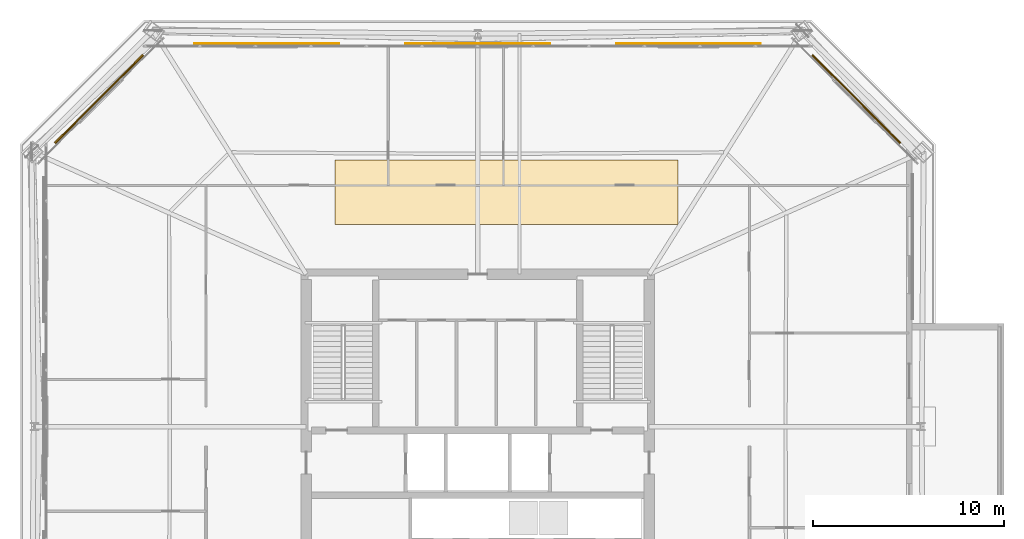
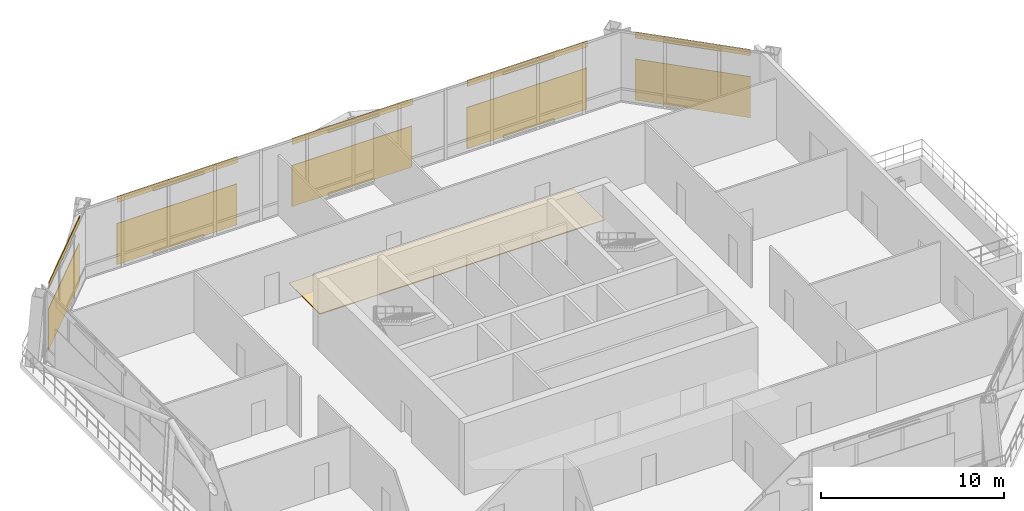
# One storey, part 33 of 34: 6 coverings, 5 shading devices.
"""IFC4 building model written with IfcOpenShell, lengths in metres."""

from ifc_helpers import new_model, si_unit, direction, frame, origin, origin_2d, place, context, subcontext, project, spatial, polyline, rectangle, outline, extrude, material, layer, layer_set, type_object, element, save


model = new_model("IFC4")

# Units and contexts
model_context = context("Model", 3, precision=1e-05, world=origin(), true_north=direction((0.0, 1.0)))
body_context = subcontext(model_context, "Body", "Model", "MODEL_VIEW")
ifc_project = project(units=[si_unit("LENGTHUNIT", "METRE"), si_unit("AREAUNIT", "SQUARE_METRE"), si_unit("VOLUMEUNIT", "CUBIC_METRE"), si_unit("PLANEANGLEUNIT", "RADIAN"), si_unit("MASSUNIT", "GRAM", prefix="KILO")], contexts=[model_context])

# Site, building, storey
site_placement = place(None, origin())
site = spatial("IfcSite", under=ifc_project, at=site_placement, CompositionType="ELEMENT")
building_placement = place(site_placement, origin())
building = spatial("IfcBuilding", under=site, at=building_placement, Name="Caelvoria Tower", CompositionType="ELEMENT")
storey_placement = place(building_placement, frame((0.0, 0.0, 172.0)))
storey = spatial("IfcBuildingStorey", under=building, at=storey_placement, Name="L45", CompositionType="ELEMENT", Elevation=172.0)

# Coverings
ifc_material_1 = material(Name="Perforated Architectural Bronze Cladding Screen", Category="bronze")
ifc_layer_1 = layer(ifc_material_1, 0.0400390625, Name="Perforated Architectural Bronze Cladding Screen")
ifc_layer_set_1 = layer_set([ifc_layer_1], Name="Perforated Bronze Louvre Cladding Band 40 - Perforated Architectural Bronze Cladding Screen")
covering_type_1 = type_object("IfcCoveringType", Name="Perforated Bronze Louvre Cladding Band 40", PredefinedType="CLADDING", material=ifc_layer_set_1)
covering_1_placement = place(storey_placement, frame((65.856201171875, 49.17626953125, 4.340087890625), z_axis=(0.0, 0.0, 1.0), x_axis=(-0.707106781187, 0.707106781187, 0.0)))
element("IfcCovering", 1, at=covering_1_placement, inside=storey, type_object=covering_type_1, Name="Perforated Bronze Screen Band L45-E3-00", PredefinedType="CLADDING", context=body_context, shape_type="SweptSolid", body=[
    extrude(rectangle(XDim=6.5302734375, YDim=0.0400390625, at=origin_2d()), origin(), (0.0, 0.0, 1.0), 0.39990234375),
])
for number, where, z_axis, x_axis, name in (
    (2, (57.066650390625, 52.06201171875, 4.340087890625), (0.0, 0.0, 1.0), (-1.0, 0.0, 0.0), "Perforated Bronze Screen Band L45-E4-00"),
    (3, (46.0, 52.06201171875, 4.340087890625), (0.0, 0.0, 1.0), (-1.0, 0.0, 0.0), "Perforated Bronze Screen Band L45-E4-01"),
    (4, (34.933349609375, 52.06201171875, 4.340087890625), (0.0, 0.0, 1.0), (-1.0, 0.0, 0.0), "Perforated Bronze Screen Band L45-E4-02"),
):
    element("IfcCovering", number, at=place(storey_placement, frame(where, z_axis=z_axis, x_axis=x_axis)), inside=storey, type_object=covering_type_1, Name=name, PredefinedType="CLADDING", context=body_context, shape_type="SweptSolid", body=[
        extrude(rectangle(XDim=7.60009765625, YDim=0.0400390625, at=origin_2d()), origin(), (0.0, 0.0, 1.0), 0.39990234375),
    ])
covering_2_placement = place(storey_placement, frame((26.143798828125, 49.17626953125, 4.340087890625), z_axis=(0.0, 0.0, 1.0), x_axis=(-0.707106781187, -0.707106781187, 0.0)))
element("IfcCovering", 5, at=covering_2_placement, inside=storey, type_object=covering_type_1, Name="Perforated Bronze Screen Band L45-E5-00", PredefinedType="CLADDING", context=body_context, shape_type="SweptSolid", body=[
    extrude(rectangle(XDim=6.5302734375, YDim=0.0400390625, at=origin_2d()), origin(), (0.0, 0.0, 1.0), 0.39990234375),
])

# Shading devices
ifc_material_2 = material(Name="Perforated Architectural Bronze Alloy Panel", Category="bronze")
ifc_layer_2 = layer(ifc_material_2, 0.044921875, Name="Perforated Architectural Bronze Alloy Panel")
ifc_layer_set_2 = layer_set([ifc_layer_2], Name="Perforated Bronze Solar Screen Panel SCREEN - Perforated Architectural Bronze Alloy Panel")
shading_device_type = type_object("IfcShadingDeviceType", Name="Perforated Bronze Solar Screen Panel SCREEN", PredefinedType="USERDEFINED", material=ifc_layer_set_2)
shading_device_1_placement = place(storey_placement, frame((65.88671875, 49.206787109375, 0.159912109375), z_axis=(0.0, 0.0, 1.0), x_axis=(-0.707106781187, 0.707106781187, 0.0)))
element("IfcShadingDevice", 6, at=shading_device_1_placement, inside=storey, type_object=shading_device_type, Name="Perforated Bronze Solar Screen L45-E3-00", ObjectType="SCREEN", PredefinedType="USERDEFINED", context=body_context, shape_type="SweptSolid", body=[
    extrude(rectangle(XDim=6.5302734375, YDim=0.044921875, at=origin_2d()), origin(), (0.0, 0.0, 1.0), 2.75),
])
for number, where, z_axis, x_axis, name in (
    (7, (57.066650390625, 52.10498046875, 0.159912109375), (0.0, 0.0, 1.0), (-1.0, 0.0, 0.0), "Perforated Bronze Solar Screen L45-E4-00"),
    (8, (46.0, 52.10498046875, 0.159912109375), (0.0, 0.0, 1.0), (-1.0, 0.0, 0.0), "Perforated Bronze Solar Screen L45-E4-01"),
    (9, (34.933349609375, 52.10498046875, 0.159912109375), (0.0, 0.0, 1.0), (-1.0, 0.0, 0.0), "Perforated Bronze Solar Screen L45-E4-02"),
):
    element("IfcShadingDevice", number, at=place(storey_placement, frame(where, z_axis=z_axis, x_axis=x_axis)), inside=storey, type_object=shading_device_type, Name=name, ObjectType="SCREEN", PredefinedType="USERDEFINED", context=body_context, shape_type="SweptSolid", body=[
        extrude(rectangle(XDim=7.60009765625, YDim=0.044921875, at=origin_2d()), origin(), (0.0, 0.0, 1.0), 2.75),
    ])
shading_device_2_placement = place(storey_placement, frame((26.11328125, 49.206787109375, 0.159912109375), z_axis=(0.0, 0.0, 1.0), x_axis=(-0.707106781187, -0.707106781187, 0.0)))
element("IfcShadingDevice", 10, at=shading_device_2_placement, inside=storey, type_object=shading_device_type, Name="Perforated Bronze Solar Screen L45-E5-00", ObjectType="SCREEN", PredefinedType="USERDEFINED", context=body_context, shape_type="SweptSolid", body=[
    extrude(rectangle(XDim=6.5302734375, YDim=0.044921875, at=origin_2d()), origin(), (0.0, 0.0, 1.0), 2.75),
])

# Covering
ifc_material_3 = material(Name="Calcium-Sulphate Raised Floor Tile", Category="gypsum")
ifc_layer_3 = layer(ifc_material_3, 0.06005859375, Name="Calcium-Sulphate Raised Floor Tile")
ifc_layer_set_3 = layer_set([ifc_layer_3], Name="Raised Access Office Floor System 120 - Calcium-Sulphate Raised Floor Tile")
covering_type_2 = type_object("IfcCoveringType", Name="Raised Access Office Floor System 120", PredefinedType="FLOORING", material=ifc_layer_set_3)
covering_3_placement = place(storey_placement, origin())
element("IfcCovering", 11, at=covering_3_placement, inside=storey, type_object=covering_type_2, Name="Raised Access Flooring L45", PredefinedType="FLOORING", context=body_context, shape_type="SweptSolid", body=[
    extrude(outline(polyline([(38.5, 42.60009765625), (56.5, 42.60009765625), (56.5, 46.0), (38.5, 46.0), (38.5, 42.60009765625)])), origin(), (0.0, 0.0, 1.0), 0.06005859375),
])

save(model, "model.ifc")
